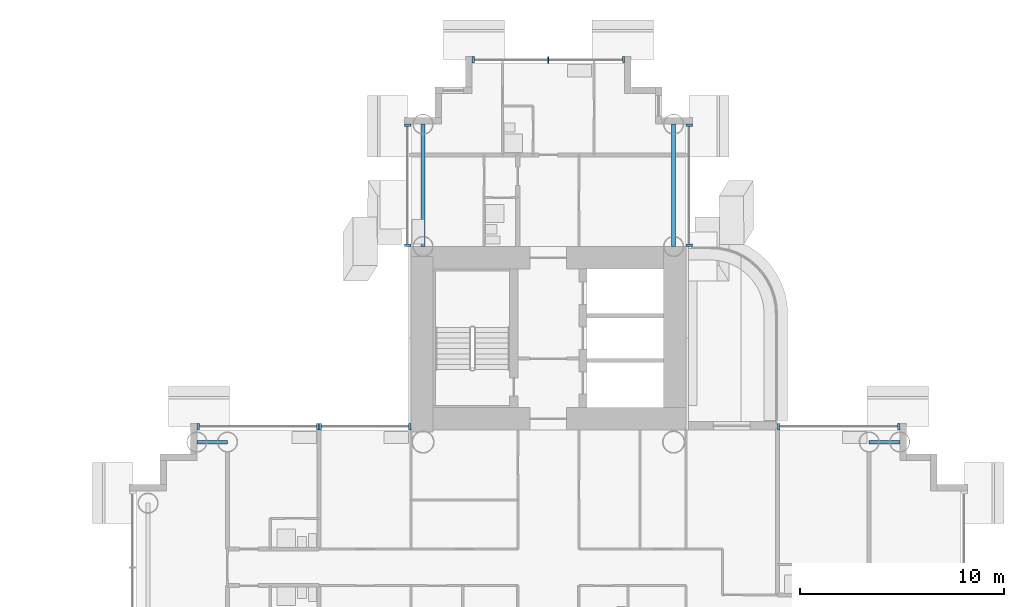
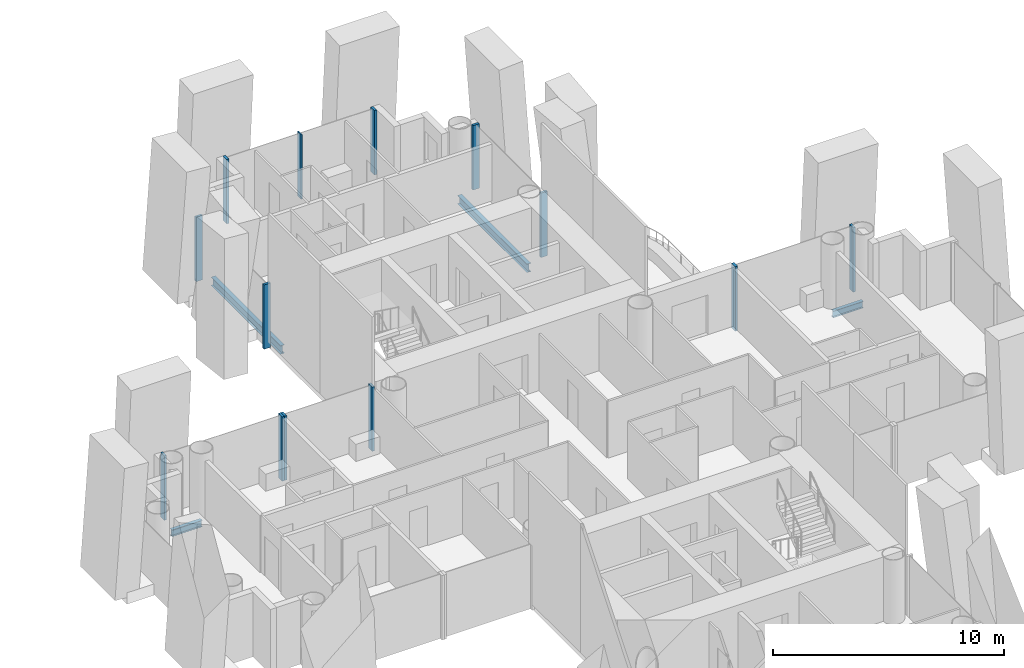
# One storey, part 7 of 24: 13 members, 4 beams, 6 elements without a shape of their own.
"""IFC4 building model written with IfcOpenShell, lengths in metres."""

from ifc_helpers import new_model, si_unit, direction, frame, origin, origin_2d, place, context, subcontext, project, spatial, rectangle, i_section, extrude, material, layer, layer_set, material_profile, profile_set, type_object, element, aggregate, save


model = new_model("IFC4")

# Units and contexts
model_context = context("Model", 3, precision=1e-05, world=origin(), true_north=direction((0.0, 1.0)))
body_context = subcontext(model_context, "Body", "Model", "MODEL_VIEW")
ifc_project = project(units=[si_unit("LENGTHUNIT", "METRE"), si_unit("AREAUNIT", "SQUARE_METRE"), si_unit("VOLUMEUNIT", "CUBIC_METRE"), si_unit("PLANEANGLEUNIT", "RADIAN"), si_unit("MASSUNIT", "GRAM", prefix="KILO")], contexts=[model_context])

# Site, building, storey
site_placement = place(None, origin())
site = spatial("IfcSite", under=ifc_project, at=site_placement, CompositionType="ELEMENT")
building_placement = place(site_placement, origin())
building = spatial("IfcBuilding", under=site, at=building_placement, Name="Ipe Terrace Towers", CompositionType="ELEMENT")
storey_placement = place(building_placement, frame((0.0, 0.0, 38.10009765625)))
storey = spatial("IfcBuildingStorey", under=building, at=storey_placement, Name="L09", CompositionType="ELEMENT", Elevation=38.10009765625)

# Beams
ifc_material_1 = material(Name="Steel S355", Category="steel")
ifc_material_profile_1 = material_profile(ifc_material_1, i_section(OverallWidth=0.175048828125, OverallDepth=0.35009765625, WebThickness=0.007080078125, FlangeThickness=0.010986328125, at=origin_2d()), Name="H-350x175x7x11")
ifc_profile_set_1 = profile_set([ifc_material_profile_1], Name="Steel S355")
beam_type_1 = type_object("IfcBeamType", Name="H04 EDGE BEAM H-350x175x7x11", PredefinedType="BEAM", material=ifc_profile_set_1)
for number, where, z_axis, x_axis, name in (
    (1, (20.25, 6.14990234375, -0.5751953125), (-1.0, 0.0, 0.0), (0.0, -1.0, 0.0), "Edge beam T2-EB-B03-B05"),
    (2, (51.75, 6.14990234375, -0.5751953125), (1.0, 0.0, 0.0), (0.0, 1.0, 0.0), "Edge beam T2-EB-D04-D06"),
):
    element("IfcBeam", number, at=place(storey_placement, frame(where, z_axis=z_axis, x_axis=x_axis)), inside=storey, type_object=beam_type_1, Name=name, PredefinedType="BEAM", context=body_context, shape_type="SweptSolid", body=[
        extrude(i_section(OverallWidth=0.175048828125, OverallDepth=0.35009765625, WebThickness=0.007080078125, FlangeThickness=0.010986328125, at=origin_2d()), origin(), (0.0, 0.0, 1.0), 1.5),
    ])
ifc_material_2 = material(Name="Steel S355", Category="steel")
ifc_material_profile_2 = material_profile(ifc_material_2, i_section(OverallWidth=0.199951171875, OverallDepth=0.449951171875, WebThickness=0.009033203125, FlangeThickness=0.013916015625, at=origin_2d()), Name="H-450x200x9x14")
ifc_profile_set_2 = profile_set([ifc_material_profile_2], Name="Steel S355")
beam_type_2 = type_object("IfcBeamType", Name="H08 EDGE BEAM H-450x200x9x14", PredefinedType="BEAM", material=ifc_profile_set_2)
for number, where, z_axis, x_axis, name in (
    (3, (42.14990234375, 15.75, -0.625), (0.0, 1.0, 0.0), (-1.0, 0.0, 0.0), "Edge beam T2-EB-A01-A03"),
    (4, (29.85009765625, 15.75, -0.625), (0.0, 1.0, 0.0), (-1.0, 0.0, 0.0), "Edge beam T2-EB-A02-A04"),
):
    element("IfcBeam", number, at=place(storey_placement, frame(where, z_axis=z_axis, x_axis=x_axis)), inside=storey, type_object=beam_type_2, Name=name, PredefinedType="BEAM", context=body_context, shape_type="SweptSolid", body=[
        extrude(i_section(OverallWidth=0.199951171875, OverallDepth=0.449951171875, WebThickness=0.009033203125, FlangeThickness=0.013916015625, at=origin_2d()), origin(), (0.0, 0.0, 1.0), 6.0),
    ])

# Curtain wall, members
ifc_material_3 = material(Name="Aluminium alloy 6063-T6", Category="aluminium")
ifc_layer = layer(ifc_material_3, 0.320068359375)
ifc_layer_set = layer_set([ifc_layer], Name="TOWER UNITISED CURTAIN WALL")
curtain_wall_type = type_object("IfcCurtainWallType", Name="TOWER UNITISED CURTAIN WALL", PredefinedType="NOTDEFINED", material=ifc_layer_set)
curtain_wall_1_placement = place(storey_placement, origin())
curtain_wall_1 = element("IfcCurtainWall", 5, at=curtain_wall_1_placement, inside=storey, type_object=curtain_wall_type, Name="T2-CW-L09-17a curtain wall", PredefinedType="NOTDEFINED")
ifc_material_4 = material(Name="Aluminium alloy 6063-T6", Category="aluminium")
ifc_material_profile_3 = material_profile(ifc_material_4, rectangle(XDim=0.320068359375, YDim=0.1201171875, at=origin_2d()), Name="TOWER UNITISED CORNER MULLION 320 x 120")
ifc_profile_set_3 = profile_set([ifc_material_profile_3], Name="Aluminium alloy 6063-T6")
member_type_1 = type_object("IfcMemberType", Name="TOWER UNITISED CORNER MULLION 320 x 120", PredefinedType="MULLION", material=ifc_profile_set_3)
member_1_placement = place(storey_placement, frame((53.18994140625, 6.909912109375, -0.300048828125), z_axis=(0.0, 0.0, 1.0), x_axis=(0.0, 1.0, 0.0)))
member_1 = element("IfcMember", 6, at=member_1_placement, type_object=member_type_1, Name="T2-CW-L09-17a mullion 1", PredefinedType="MULLION", context=body_context, shape_type="SweptSolid", body=[
    extrude(rectangle(XDim=0.320068359375, YDim=0.1201171875, at=origin_2d()), origin(), (0.0, 0.0, 1.0), 3.39990234375),
])
member_2_placement = place(storey_placement, frame((47.31005859375, 6.909912109375, -0.300048828125), z_axis=(0.0, 0.0, 1.0), x_axis=(0.0, 1.0, 0.0)))
member_2 = element("IfcMember", 7, at=member_2_placement, type_object=member_type_1, Name="T2-CW-L09-17a mullion 2", PredefinedType="MULLION", context=body_context, shape_type="SweptSolid", body=[
    extrude(rectangle(XDim=0.320068359375, YDim=0.1201171875, at=origin_2d()), origin(), (0.0, 0.0, 1.0), 3.39990234375),
])
aggregate(curtain_wall_1, [member_1, member_2])

curtain_wall_2_placement = place(storey_placement, origin())
curtain_wall_2 = element("IfcCurtainWall", 8, at=curtain_wall_2_placement, inside=storey, type_object=curtain_wall_type, Name="T2-CW-L09-20b curtain wall", PredefinedType="NOTDEFINED")
member_3_placement = place(storey_placement, frame((42.909912109375, 15.81103515625, -0.300048828125), z_axis=(0.0, 0.0, 1.0), x_axis=(1.0, 0.0, 0.0)))
member_3 = element("IfcMember", 9, at=member_3_placement, type_object=member_type_1, Name="T2-CW-L09-20b mullion 1", PredefinedType="MULLION", context=body_context, shape_type="SweptSolid", body=[
    extrude(rectangle(XDim=0.320068359375, YDim=0.1201171875, at=origin_2d()), origin(), (0.0, 0.0, 1.0), 3.39990234375),
])
member_4_placement = place(storey_placement, frame((42.909912109375, 21.68994140625, -0.300048828125), z_axis=(0.0, 0.0, 1.0), x_axis=(1.0, 0.0, 0.0)))
member_4 = element("IfcMember", 10, at=member_4_placement, type_object=member_type_1, Name="T2-CW-L09-20b mullion 2", PredefinedType="MULLION", context=body_context, shape_type="SweptSolid", body=[
    extrude(rectangle(XDim=0.320068359375, YDim=0.1201171875, at=origin_2d()), origin(), (0.0, 0.0, 1.0), 3.39990234375),
])
aggregate(curtain_wall_2, [member_3, member_4])

curtain_wall_3_placement = place(storey_placement, origin())
curtain_wall_3 = element("IfcCurtainWall", 11, at=curtain_wall_3_placement, inside=storey, type_object=curtain_wall_type, Name="T2-CW-L09-25a curtain wall", PredefinedType="NOTDEFINED")
member_5_placement = place(storey_placement, frame((39.68994140625, 24.909912109375, -0.300048828125), z_axis=(0.0, 0.0, 1.0), x_axis=(0.0, 1.0, 0.0)))
member_5 = element("IfcMember", 12, at=member_5_placement, type_object=member_type_1, Name="T2-CW-L09-25a mullion 1", PredefinedType="MULLION", context=body_context, shape_type="SweptSolid", body=[
    extrude(rectangle(XDim=0.320068359375, YDim=0.1201171875, at=origin_2d()), origin(), (0.0, 0.0, 1.0), 3.39990234375),
])
member_6_placement = place(storey_placement, frame((32.31005859375, 24.909912109375, -0.300048828125), z_axis=(0.0, 0.0, 1.0), x_axis=(0.0, 1.0, 0.0)))
member_6 = element("IfcMember", 13, at=member_6_placement, type_object=member_type_1, Name="T2-CW-L09-25a mullion 3", PredefinedType="MULLION", context=body_context, shape_type="SweptSolid", body=[
    extrude(rectangle(XDim=0.320068359375, YDim=0.1201171875, at=origin_2d()), origin(), (0.0, 0.0, 1.0), 3.39990234375),
])

curtain_wall_4_placement = place(storey_placement, origin())
curtain_wall_4 = element("IfcCurtainWall", 14, at=curtain_wall_4_placement, inside=storey, type_object=curtain_wall_type, Name="T2-CW-L09-30a curtain wall", PredefinedType="NOTDEFINED")
member_7_placement = place(storey_placement, frame((29.090087890625, 21.68994140625, -0.300048828125), z_axis=(0.0, 0.0, 1.0), x_axis=(-1.0, 0.0, 0.0)))
member_7 = element("IfcMember", 15, at=member_7_placement, type_object=member_type_1, Name="T2-CW-L09-30a mullion 1", PredefinedType="MULLION", context=body_context, shape_type="SweptSolid", body=[
    extrude(rectangle(XDim=0.320068359375, YDim=0.1201171875, at=origin_2d()), origin(), (0.0, 0.0, 1.0), 3.39990234375),
])
member_8_placement = place(storey_placement, frame((29.090087890625, 15.81103515625, -0.300048828125), z_axis=(0.0, 0.0, 1.0), x_axis=(-1.0, 0.0, 0.0)))
member_8 = element("IfcMember", 16, at=member_8_placement, type_object=member_type_1, Name="T2-CW-L09-30a mullion 2", PredefinedType="MULLION", context=body_context, shape_type="SweptSolid", body=[
    extrude(rectangle(XDim=0.320068359375, YDim=0.1201171875, at=origin_2d()), origin(), (0.0, 0.0, 1.0), 3.39990234375),
])
aggregate(curtain_wall_4, [member_7, member_8])

curtain_wall_5_placement = place(storey_placement, origin())
curtain_wall_5 = element("IfcCurtainWall", 17, at=curtain_wall_5_placement, inside=storey, type_object=curtain_wall_type, Name="T2-CW-L09-32a curtain wall", PredefinedType="NOTDEFINED")
member_9_placement = place(storey_placement, frame((29.18994140625, 6.909912109375, -0.300048828125), z_axis=(0.0, 0.0, 1.0), x_axis=(0.0, 1.0, 0.0)))
member_9 = element("IfcMember", 18, at=member_9_placement, type_object=member_type_1, Name="T2-CW-L09-32a mullion 1", PredefinedType="MULLION", context=body_context, shape_type="SweptSolid", body=[
    extrude(rectangle(XDim=0.320068359375, YDim=0.1201171875, at=origin_2d()), origin(), (0.0, 0.0, 1.0), 3.39990234375),
])
member_10_placement = place(storey_placement, frame((24.81005859375, 6.909912109375, -0.300048828125), z_axis=(0.0, 0.0, 1.0), x_axis=(0.0, 1.0, 0.0)))
member_10 = element("IfcMember", 19, at=member_10_placement, type_object=member_type_1, Name="T2-CW-L09-32a mullion 2", PredefinedType="MULLION", context=body_context, shape_type="SweptSolid", body=[
    extrude(rectangle(XDim=0.320068359375, YDim=0.1201171875, at=origin_2d()), origin(), (0.0, 0.0, 1.0), 3.39990234375),
])
aggregate(curtain_wall_5, [member_9, member_10])

curtain_wall_6_placement = place(storey_placement, origin())
curtain_wall_6 = element("IfcCurtainWall", 20, at=curtain_wall_6_placement, inside=storey, type_object=curtain_wall_type, Name="T2-CW-L09-33a curtain wall", PredefinedType="NOTDEFINED")
member_11_placement = place(storey_placement, frame((24.68994140625, 6.909912109375, -0.300048828125), z_axis=(0.0, 0.0, 1.0), x_axis=(0.0, 1.0, 0.0)))
member_11 = element("IfcMember", 21, at=member_11_placement, type_object=member_type_1, Name="T2-CW-L09-33a mullion 1", PredefinedType="MULLION", context=body_context, shape_type="SweptSolid", body=[
    extrude(rectangle(XDim=0.320068359375, YDim=0.1201171875, at=origin_2d()), origin(), (0.0, 0.0, 1.0), 3.39990234375),
])
member_12_placement = place(storey_placement, frame((18.81005859375, 6.909912109375, -0.300048828125), z_axis=(0.0, 0.0, 1.0), x_axis=(0.0, 1.0, 0.0)))
member_12 = element("IfcMember", 22, at=member_12_placement, type_object=member_type_1, Name="T2-CW-L09-33a mullion 2", PredefinedType="MULLION", context=body_context, shape_type="SweptSolid", body=[
    extrude(rectangle(XDim=0.320068359375, YDim=0.1201171875, at=origin_2d()), origin(), (0.0, 0.0, 1.0), 3.39990234375),
])
aggregate(curtain_wall_6, [member_11, member_12])

# Member
ifc_material_5 = material(Name="Aluminium alloy 6063-T6", Category="aluminium")
ifc_material_profile_4 = material_profile(ifc_material_5, rectangle(XDim=0.320068359375, YDim=0.06494140625, at=origin_2d()), Name="TOWER UNITISED MULLION 320 x 65")
ifc_profile_set_4 = profile_set([ifc_material_profile_4], Name="Aluminium alloy 6063-T6")
member_type_2 = type_object("IfcMemberType", Name="TOWER UNITISED MULLION 320 x 65", PredefinedType="MULLION", material=ifc_profile_set_4)
member_13_placement = place(storey_placement, frame((36.0, 24.909912109375, -0.300048828125), z_axis=(0.0, 0.0, 1.0), x_axis=(0.0, 1.0, 0.0)))
member_13 = element("IfcMember", 23, at=member_13_placement, type_object=member_type_2, Name="T2-CW-L09-25a mullion 2", PredefinedType="MULLION", context=body_context, shape_type="SweptSolid", body=[
    extrude(rectangle(XDim=0.320068359375, YDim=0.06494140625, at=origin_2d()), origin(), (0.0, 0.0, 1.0), 3.39990234375),
])

aggregate(curtain_wall_3, [member_5, member_13, member_6])

save(model, "model.ifc")
